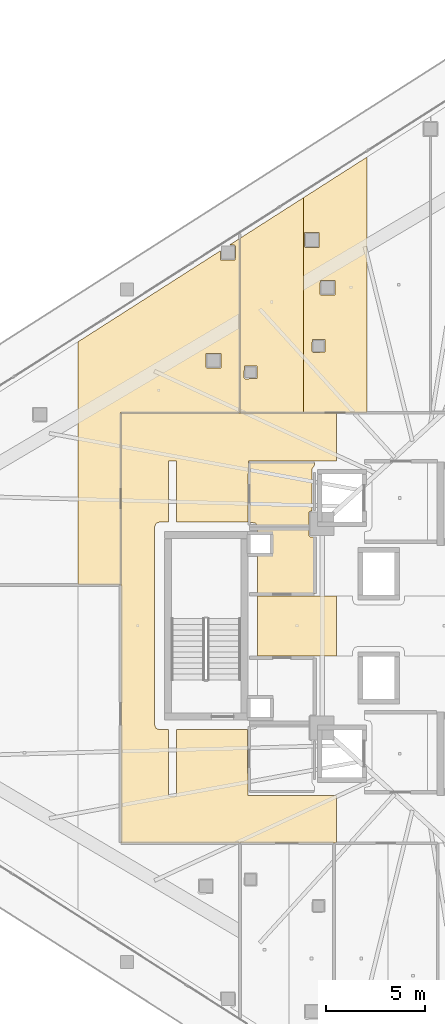
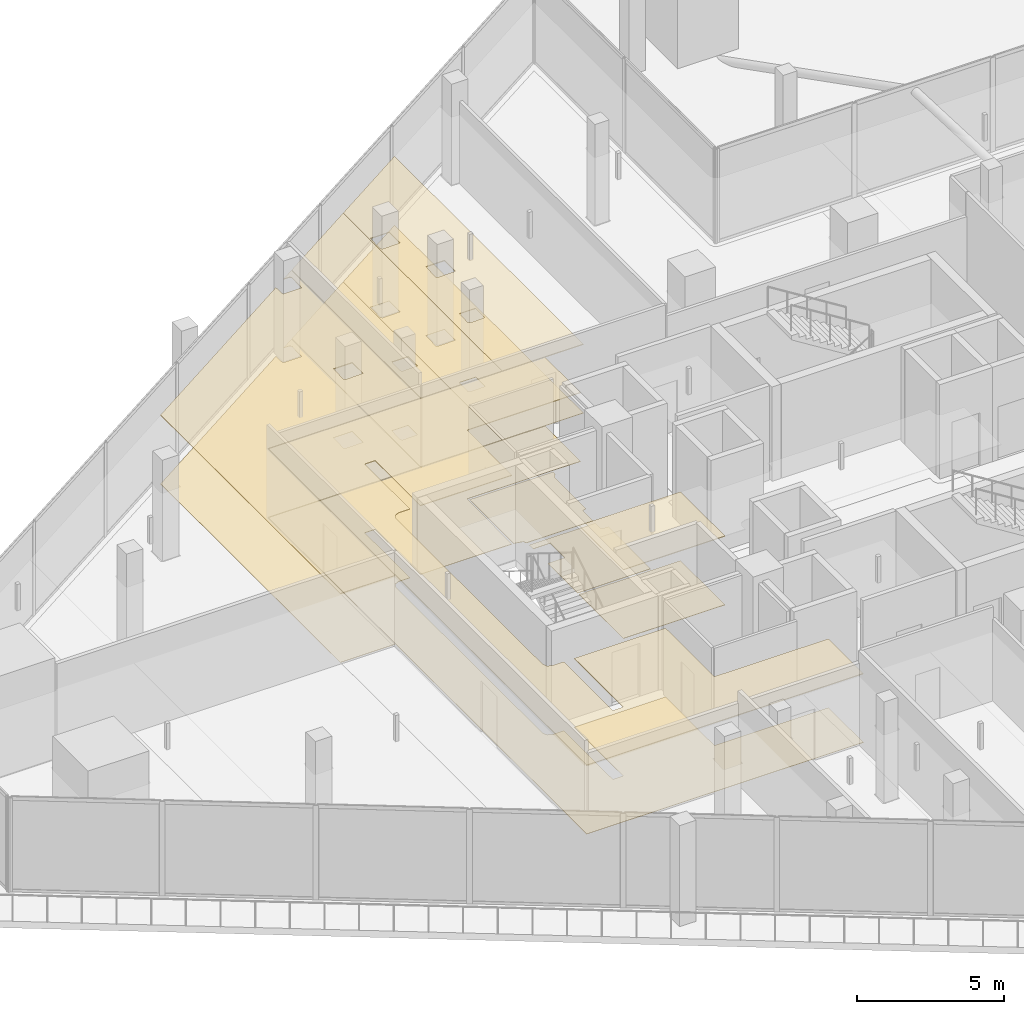
# One storey, part 41 of 44: 12 coverings.
"""IFC4 building model written with IfcOpenShell, lengths in metres."""

from ifc_helpers import new_model, si_unit, direction, frame, origin, place, context, subcontext, project, spatial, polyline, outline, extrude, material, layer, layer_set, type_object, element, save


model = new_model("IFC4")

# Units and contexts
model_context = context("Model", 3, precision=1e-05, world=origin(), true_north=direction((0.0, 1.0)))
body_context = subcontext(model_context, "Body", "Model", "MODEL_VIEW")
ifc_project = project(units=[si_unit("LENGTHUNIT", "METRE"), si_unit("AREAUNIT", "SQUARE_METRE"), si_unit("VOLUMEUNIT", "CUBIC_METRE"), si_unit("PLANEANGLEUNIT", "RADIAN"), si_unit("MASSUNIT", "GRAM", prefix="KILO")], contexts=[model_context])

# Site, building, storey
site_placement = place(None, origin())
site = spatial("IfcSite", under=ifc_project, at=site_placement, CompositionType="ELEMENT")
building_placement = place(site_placement, origin())
building = spatial("IfcBuilding", under=site, at=building_placement, Name="Qorvath Tower", CompositionType="ELEMENT")
storey_placement = place(building_placement, frame((0.0, 0.0, 78.60009765625)))
storey = spatial("IfcBuildingStorey", under=building, at=storey_placement, Name="L17", CompositionType="ELEMENT", Elevation=78.60009765625)

# Coverings
ifc_material_1 = material(Name="Acoustic mineral fibre ceiling tile", Category="gypsum")
ifc_layer_1 = layer(ifc_material_1, 0.030029296875)
ifc_layer_set_1 = layer_set([ifc_layer_1], Name="COV-CEIL")
covering_type_1 = type_object("IfcCoveringType", Name="COV-CEIL", PredefinedType="CEILING", material=ifc_layer_set_1)
covering_1_placement = place(storey_placement, frame((0.0, 0.0, 2.849853515625)))
element("IfcCovering", 1, at=covering_1_placement, inside=storey, type_object=covering_type_1, Name="L17 Suspended Acoustic Ceiling 007", PredefinedType="CEILING", context=body_context, shape_type="SweptSolid", body=[
    extrude(outline(polyline([(-29.764892578125, -10.945068359375), (-29.764892578125, -8.564453125), (-34.25, -8.56494140625), (-34.2548828125, -5.239990234375), (-37.844970703125, -5.239990234375), (-37.844970703125, -8.580078125), (-38.2548828125, -8.580078125), (-38.2548828125, -5.239990234375), (-38.699951171875, -5.239990234375), (-38.876708984375, -5.166748046875), (-38.949951171875, -4.989990234375), (-38.949951171875, 4.989990234375), (-38.876708984375, 5.166748046875), (-38.699951171875, 5.239990234375), (-38.2548828125, 5.239990234375), (-38.25341796875, 8.323486328125), (-37.844970703125, 8.320068359375), (-37.844970703125, 5.239990234375), (-34.2509765625, 5.239990234375), (-34.219970703125, 8.324951171875), (-29.764892578125, 8.324951171875), (-29.764892578125, 10.7451171875), (-40.64501953125, 10.7451171875), (-40.64501953125, -10.945068359375), (-29.764892578125, -10.945068359375)])), origin(), (0.0, 0.0, 1.0), 0.030029296875),
])
covering_2_placement = place(storey_placement, frame((0.0, 0.0, 2.849853515625)))
element("IfcCovering", 2, at=covering_2_placement, inside=storey, type_object=covering_type_1, Name="L17 Suspended Acoustic Ceiling 008", PredefinedType="CEILING", context=body_context, shape_type="SweptSolid", body=[
    extrude(outline(polyline([(-29.764892578125, -1.514892578125), (-29.764892578125, 1.514892578125), (-33.760009765625, 1.514892578125), (-33.760009765625, -1.514892578125), (-29.764892578125, -1.514892578125)])), origin(), (0.0, 0.0, 1.0), 0.030029296875),
])
covering_3_placement = place(storey_placement, frame((0.0, 0.0, 2.849853515625)))
element("IfcCovering", 3, at=covering_3_placement, inside=storey, type_object=covering_type_1, Name="L17 Suspended Acoustic Ceiling 010", PredefinedType="CEILING", context=body_context, shape_type="SweptSolid", body=[
    extrude(outline(polyline([(-31.44287109375, 10.762939453125), (-31.44287109375, 21.59326171875), (-34.64501953125, 19.546875), (-34.64501953125, 10.762939453125), (-31.44287109375, 10.762939453125)]), holes=[polyline([(-34.439208984375, 12.517578125), (-34.421630859375, 13.10986328125), (-33.786865234375, 13.10986328125), (-33.786865234375, 12.47509765625), (-34.379150390625, 12.45751953125), (-34.439208984375, 12.517578125)])]), origin(), (0.0, 0.0, 1.0), 0.030029296875),
])
covering_4_placement = place(storey_placement, frame((0.0, 0.0, 2.849853515625)))
element("IfcCovering", 4, at=covering_4_placement, inside=storey, type_object=covering_type_1, Name="L17 Suspended Acoustic Ceiling 011", PredefinedType="CEILING", context=body_context, shape_type="SweptSolid", body=[
    extrude(outline(polyline([(-28.240966796875, 10.762939453125), (-28.240966796875, 23.639892578125), (-31.44287109375, 21.59326171875), (-31.44287109375, 10.762939453125), (-28.240966796875, 10.762939453125)]), holes=[polyline([(-30.60986328125, 16.734619140625), (-30.59228515625, 17.427001953125), (-29.857421875, 17.427001953125), (-29.857421875, 16.692138671875), (-30.5498046875, 16.674560546875), (-30.60986328125, 16.734619140625)]), polyline([(-31.01220703125, 13.849365234375), (-30.99462890625, 14.441650390625), (-30.35986328125, 14.441650390625), (-30.35986328125, 13.806884765625), (-30.9521484375, 13.789306640625), (-31.01220703125, 13.849365234375)]), polyline([(-31.401123046875, 19.135498046875), (-31.383544921875, 19.827880859375), (-30.648681640625, 19.827880859375), (-30.648681640625, 19.093017578125), (-31.341064453125, 19.075439453125), (-31.401123046875, 19.135498046875)])]), origin(), (0.0, 0.0, 1.0), 0.030029296875),
])
covering_5_placement = place(storey_placement, frame((0.0, 0.0, 2.849853515625)))
element("IfcCovering", 5, at=covering_5_placement, inside=storey, type_object=covering_type_1, Name="L17 Suspended Acoustic Ceiling 042", PredefinedType="CEILING", context=body_context, shape_type="SweptSolid", body=[
    extrude(outline(polyline([(-34.6630859375, 10.762939453125), (-34.6630859375, 19.535400390625), (-35.165283203125, 19.21435546875), (-34.9267578125, 19.21435546875), (-34.86669921875, 19.154296875), (-34.88427734375, 18.4619140625), (-35.619140625, 18.4619140625), (-35.63671875, 18.9130859375), (-42.822265625, 14.320556640625), (-42.822265625, 2.074951171875), (-40.6630859375, 2.074951171875), (-40.66162109375, 10.761474609375), (-34.6630859375, 10.762939453125)]), holes=[polyline([(-36.36572265625, 13.055908203125), (-36.34814453125, 13.748291015625), (-35.61328125, 13.748291015625), (-35.61328125, 13.013427734375), (-36.3056640625, 12.995849609375), (-36.36572265625, 13.055908203125)])]), origin(), (0.0, 0.0, 1.0), 0.030029296875),
])
ifc_material_2 = material(Name="Low-VOC modular carpet tile", Category="textile")
ifc_layer_2 = layer(ifc_material_2, 0.014892578125)
ifc_layer_set_2 = layer_set([ifc_layer_2], Name="COV-FLOOR-CPT")
covering_type_2 = type_object("IfcCoveringType", Name="COV-FLOOR-CPT", PredefinedType="FLOORING", material=ifc_layer_set_2)
covering_6_placement = place(storey_placement, origin())
element("IfcCovering", 6, at=covering_6_placement, inside=storey, type_object=covering_type_2, Name="L17 Floor Finish 004", PredefinedType="FLOORING", context=body_context, shape_type="SweptSolid", body=[
    extrude(outline(polyline([(-31.159912109375, 4.89501953125), (-33.760009765625, 4.89501953125), (-33.760009765625, 4.633056640625), (-33.08837890625, 4.631591796875), (-33.0869140625, 3.64208984375), (-33.760009765625, 3.636962890625), (-33.760009765625, 1.60498046875), (-30.885009765625, 1.60498046875), (-30.885009765625, 4.489990234375), (-31.10009765625, 4.489990234375), (-31.159912109375, 4.550048828125), (-31.159912109375, 4.89501953125)])), origin(), (0.0, 0.0, 1.0), 0.014892578125),
])
covering_7_placement = place(storey_placement, origin())
element("IfcCovering", 7, at=covering_7_placement, inside=storey, type_object=covering_type_2, Name="L17 Floor Finish 010", PredefinedType="FLOORING", context=body_context, shape_type="SweptSolid", body=[
    extrude(outline(polyline([(-31.44287109375, 10.762939453125), (-31.44287109375, 21.59326171875), (-34.64501953125, 19.546875), (-34.64501953125, 10.762939453125), (-31.44287109375, 10.762939453125)]), holes=[polyline([(-34.439208984375, 12.517578125), (-34.421630859375, 13.10986328125), (-33.786865234375, 13.10986328125), (-33.786865234375, 12.47509765625), (-34.379150390625, 12.45751953125), (-34.439208984375, 12.517578125)])]), origin(), (0.0, 0.0, 1.0), 0.014892578125),
])
covering_8_placement = place(storey_placement, origin())
element("IfcCovering", 8, at=covering_8_placement, inside=storey, type_object=covering_type_2, Name="L17 Floor Finish 011", PredefinedType="FLOORING", context=body_context, shape_type="SweptSolid", body=[
    extrude(outline(polyline([(-28.240966796875, 10.762939453125), (-28.240966796875, 23.639892578125), (-31.44287109375, 21.59326171875), (-31.44287109375, 10.762939453125), (-28.240966796875, 10.762939453125)]), holes=[polyline([(-30.60986328125, 16.734619140625), (-30.59228515625, 17.427001953125), (-29.857421875, 17.427001953125), (-29.857421875, 16.692138671875), (-30.5498046875, 16.674560546875), (-30.60986328125, 16.734619140625)]), polyline([(-31.01220703125, 13.849365234375), (-30.99462890625, 14.441650390625), (-30.35986328125, 14.441650390625), (-30.35986328125, 13.806884765625), (-30.9521484375, 13.789306640625), (-31.01220703125, 13.849365234375)]), polyline([(-31.401123046875, 19.135498046875), (-31.383544921875, 19.827880859375), (-30.648681640625, 19.827880859375), (-30.648681640625, 19.093017578125), (-31.341064453125, 19.075439453125), (-31.401123046875, 19.135498046875)])]), origin(), (0.0, 0.0, 1.0), 0.014892578125),
])
covering_9_placement = place(storey_placement, origin())
element("IfcCovering", 9, at=covering_9_placement, inside=storey, type_object=covering_type_2, Name="L17 Floor Finish 042", PredefinedType="FLOORING", context=body_context, shape_type="SweptSolid", body=[
    extrude(outline(polyline([(-34.6630859375, 10.762939453125), (-34.6630859375, 19.535400390625), (-35.165283203125, 19.21435546875), (-34.9267578125, 19.21435546875), (-34.86669921875, 19.154296875), (-34.88427734375, 18.4619140625), (-35.619140625, 18.4619140625), (-35.63671875, 18.9130859375), (-42.822265625, 14.320556640625), (-42.822265625, 2.074951171875), (-40.6630859375, 2.074951171875), (-40.66162109375, 10.761474609375), (-34.6630859375, 10.762939453125)]), holes=[polyline([(-36.36572265625, 13.055908203125), (-36.34814453125, 13.748291015625), (-35.61328125, 13.748291015625), (-35.61328125, 13.013427734375), (-36.3056640625, 12.995849609375), (-36.36572265625, 13.055908203125)])]), origin(), (0.0, 0.0, 1.0), 0.014892578125),
])
ifc_material_3 = material(Name="Polished epoxy terrazzo flooring", Category="concrete")
ifc_layer_3 = layer(ifc_material_3, 0.02001953125)
ifc_layer_set_3 = layer_set([ifc_layer_3], Name="COV-FLOOR-TRZ")
covering_type_3 = type_object("IfcCoveringType", Name="COV-FLOOR-TRZ", PredefinedType="FLOORING", material=ifc_layer_set_3)
covering_10_placement = place(storey_placement, origin())
element("IfcCovering", 10, at=covering_10_placement, inside=storey, type_object=covering_type_3, Name="L17 Floor Finish 003", PredefinedType="FLOORING", context=body_context, shape_type="SweptSolid", body=[
    extrude(outline(polyline([(-31.010009765625, 7.909912109375), (-30.885009765625, 8.108154296875), (-30.885009765625, 8.2451171875), (-34.175048828125, 8.2451171875), (-34.175048828125, 5.239990234375), (-33.833251953125, 5.166748046875), (-33.786865234375, 5.054931640625), (-31.159912109375, 5.054931640625), (-31.159912109375, 5.75), (-31.010009765625, 5.81005859375), (-31.010009765625, 7.909912109375)])), origin(), (0.0, 0.0, 1.0), 0.014892578125),
])
covering_11_placement = place(storey_placement, origin())
element("IfcCovering", 11, at=covering_11_placement, inside=storey, type_object=covering_type_3, Name="L17 Floor Finish 007", PredefinedType="FLOORING", context=body_context, shape_type="SweptSolid", body=[
    extrude(outline(polyline([(-29.764892578125, -10.945068359375), (-29.764892578125, -8.564453125), (-34.25, -8.56494140625), (-34.2548828125, -5.239990234375), (-37.844970703125, -5.239990234375), (-37.844970703125, -8.580078125), (-38.2548828125, -8.580078125), (-38.2548828125, -5.239990234375), (-38.699951171875, -5.239990234375), (-38.876708984375, -5.166748046875), (-38.949951171875, -4.989990234375), (-38.949951171875, 4.989990234375), (-38.876708984375, 5.166748046875), (-38.699951171875, 5.239990234375), (-38.2548828125, 5.239990234375), (-38.25341796875, 8.323486328125), (-37.844970703125, 8.320068359375), (-37.844970703125, 5.239990234375), (-34.2509765625, 5.239990234375), (-34.219970703125, 8.324951171875), (-29.764892578125, 8.324951171875), (-29.764892578125, 10.7451171875), (-40.64501953125, 10.7451171875), (-40.64501953125, -10.945068359375), (-29.764892578125, -10.945068359375)])), origin(), (0.0, 0.0, 1.0), 0.014892578125),
])
covering_12_placement = place(storey_placement, origin())
element("IfcCovering", 12, at=covering_12_placement, inside=storey, type_object=covering_type_3, Name="L17 Floor Finish 008", PredefinedType="FLOORING", context=body_context, shape_type="SweptSolid", body=[
    extrude(outline(polyline([(-29.764892578125, -1.514892578125), (-29.764892578125, 1.514892578125), (-33.760009765625, 1.514892578125), (-33.760009765625, -1.514892578125), (-29.764892578125, -1.514892578125)])), origin(), (0.0, 0.0, 1.0), 0.014892578125),
])

save(model, "model.ifc")
